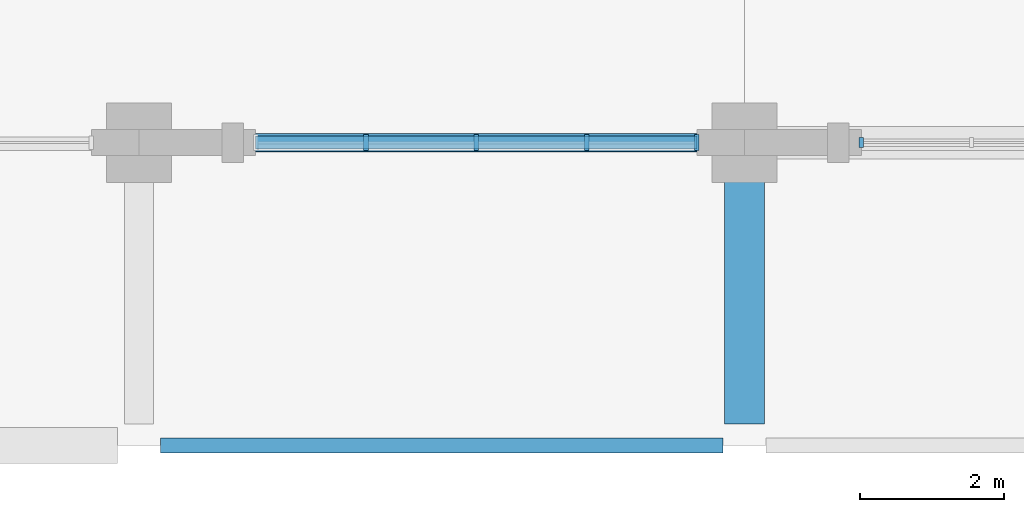
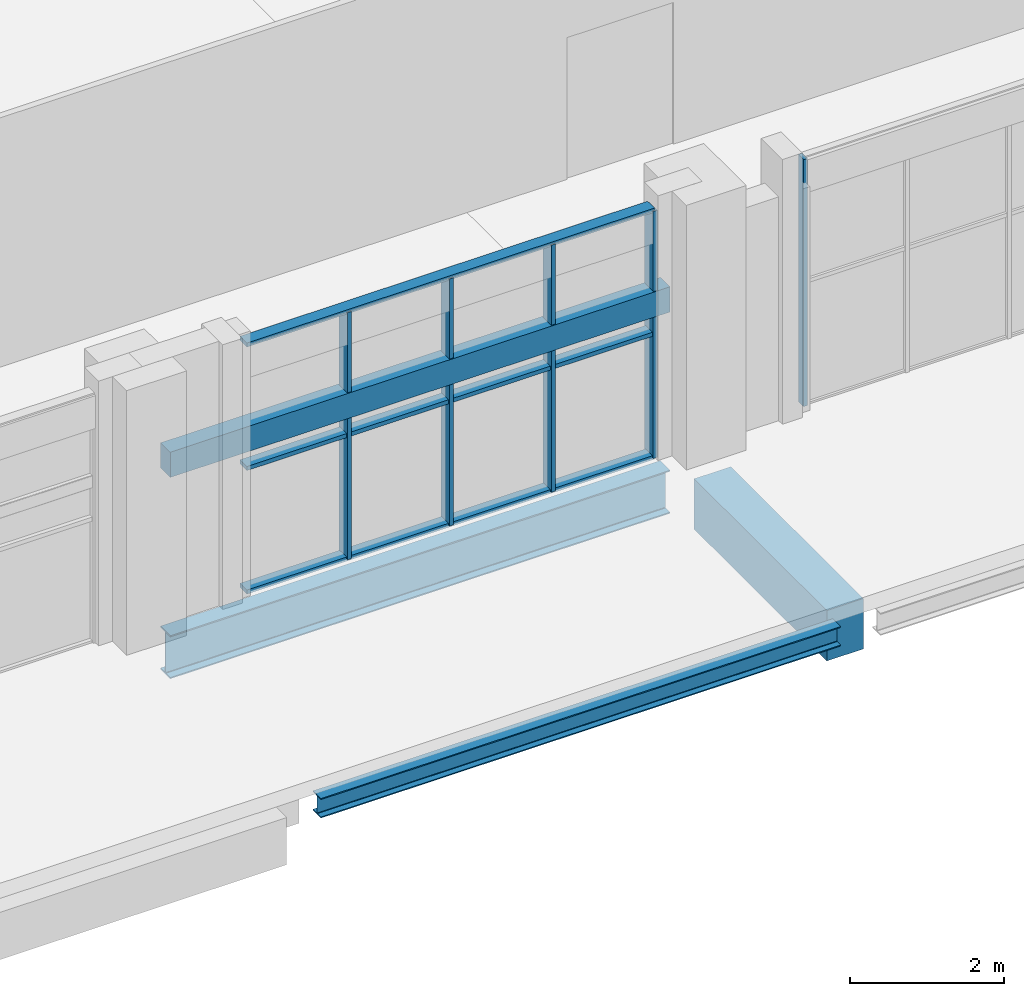
# One storey, part 20 of 59: 8 members, 4 beams, 2 elements without a shape of their own.
"""IFC4 building model written with IfcOpenShell, lengths in metres."""

from ifc_helpers import new_model, si_unit, derived_unit, direction, frame, origin, origin_2d, place, context, subcontext, project, spatial, rectangle, i_section, extrude, material, material_profile, profile_set, type_object, element, aggregate, save


model = new_model("IFC4")

# Units and contexts
model_context = context("Model", 3, precision=1e-05, world=origin(), true_north=direction((0.0, 1.0)))
body_context = subcontext(model_context, "Body", "Model", "MODEL_VIEW")
ifc_project = project(units=[si_unit("LENGTHUNIT", "METRE"), si_unit("AREAUNIT", "SQUARE_METRE"), si_unit("VOLUMEUNIT", "CUBIC_METRE"), si_unit("PLANEANGLEUNIT", "RADIAN"), si_unit("MASSUNIT", "GRAM", prefix="KILO"), derived_unit("THERMALTRANSMITTANCEUNIT", [(si_unit("POWERUNIT", "WATT"), 1), (si_unit("LENGTHUNIT", "METRE"), -2), (si_unit("THERMODYNAMICTEMPERATUREUNIT", "KELVIN"), -1)])], contexts=[model_context])

# Site, building, storey
site_placement = place(None, origin())
site = spatial("IfcSite", under=ifc_project, at=site_placement, CompositionType="ELEMENT")
building_placement = place(site_placement, origin())
building = spatial("IfcBuilding", under=site, at=building_placement, Name="Barrovel Congress Hotel", CompositionType="ELEMENT")
storey_placement = place(building_placement, frame((0.0, 0.0, 9.89990234375)))
storey = spatial("IfcBuildingStorey", under=building, at=storey_placement, Name="L02", CompositionType="ELEMENT", Elevation=9.89990234375)

# Beams
ifc_material_1 = material(Name="Concrete C40", Category="concrete")
ifc_material_profile_1 = material_profile(ifc_material_1, rectangle(XDim=0.25, YDim=0.39990234375, at=origin_2d()), Name="RC250x400")
ifc_profile_set_1 = profile_set([ifc_material_profile_1], Name="Concrete C40")
beam_type_1 = type_object("IfcBeamType", Name="BM-RC250x400", PredefinedType="LINTEL", material=ifc_profile_set_1)
beam_1_placement = place(storey_placement, frame((118.050048828125, 4.199951171875, 2.4501953125), z_axis=(1.0, 0.0, 0.0), x_axis=(0.0, 1.0, 0.0)))
element("IfcBeam", 1, at=beam_1_placement, inside=storey, type_object=beam_type_1, Name="LIN:L02:117.6-126.0", PredefinedType="LINTEL", context=body_context, shape_type="SweptSolid", body=[
    extrude(rectangle(XDim=0.25, YDim=0.39990234375, at=origin_2d()), origin(), (0.0, 0.0, 1.0), 7.5),
])
ifc_material_profile_2 = material_profile(ifc_material_1, rectangle(XDim=0.550048828125, YDim=0.800048828125, at=origin_2d()), Name="RC550x800")
ifc_profile_set_2 = profile_set([ifc_material_profile_2], Name="Concrete C40")
beam_type_2 = type_object("IfcBeamType", Name="BM-RC550x800", PredefinedType="BEAM", material=ifc_profile_set_2)
beam_2_placement = place(storey_placement, frame((126.0, 0.300048828125, -0.659912109375), z_axis=(0.0, 1.0, 0.0), x_axis=(-1.0, 0.0, 0.0)))
element("IfcBeam", 2, at=beam_2_placement, inside=storey, type_object=beam_type_2, Name="BMY:L02:126.0:0.0-4.2", PredefinedType="BEAM", context=body_context, shape_type="SweptSolid", body=[
    extrude(rectangle(XDim=0.550048828125, YDim=0.800048828125, at=origin_2d()), origin(), (0.0, 0.0, 1.0), 3.449951171875),
])

# Curtain wall, member
ifc_material_2 = material(Name="Anodised Aluminium Alloy 6063-T6", Category="aluminium")
curtain_wall_type = type_object("IfcCurtainWallType", Name="CW-ST-7200x3600", PredefinedType="USERDEFINED", material=ifc_material_2)
curtain_wall_1_placement = place(storey_placement, origin())
curtain_wall_1 = element("IfcCurtainWall", 3, at=curtain_wall_1_placement, inside=storey, type_object=curtain_wall_type, Name="CW:L02:S:15", ObjectType="STICK CURTAIN WALL", PredefinedType="USERDEFINED")
ifc_material_profile_3 = material_profile(ifc_material_2, rectangle(XDim=0.06005859375, YDim=0.139892578125, at=origin_2d()), Name="AL-M60x140")
ifc_profile_set_3 = profile_set([ifc_material_profile_3], Name="Anodised Aluminium Alloy 6063-T6")
member_type_1 = type_object("IfcMemberType", Name="CWM-AL-M60x140", PredefinedType="MULLION", material=ifc_profile_set_3)
member_1_placement = place(storey_placement, frame((127.6201171875, 4.199951171875, 0.0), z_axis=(0.0, 0.0, 1.0), x_axis=(1.0, 0.0, 0.0)))
member_1 = element("IfcMember", 4, at=member_1_placement, type_object=member_type_1, Name="CW:L02:S:15:M0", PredefinedType="MULLION", context=body_context, shape_type="SweptSolid", body=[
    extrude(rectangle(XDim=0.06005859375, YDim=0.139892578125, at=origin_2d()), origin(), (0.0, 0.0, 1.0), 3.920166015625),
])
aggregate(curtain_wall_1, [member_1])

# Curtain wall, members
curtain_wall_2_placement = place(storey_placement, origin())
curtain_wall_2 = element("IfcCurtainWall", 5, at=curtain_wall_2_placement, inside=storey, type_object=curtain_wall_type, Name="CW:L02:S:14", ObjectType="STICK CURTAIN WALL", PredefinedType="USERDEFINED")
ifc_material_profile_4 = material_profile(ifc_material_2, rectangle(XDim=0.06494140625, YDim=0.219970703125, at=origin_2d()), Name="AL-M65x220")
ifc_profile_set_4 = profile_set([ifc_material_profile_4], Name="Anodised Aluminium Alloy 6063-T6")
member_type_2 = type_object("IfcMemberType", Name="CWM-AL-M65x220", PredefinedType="MULLION", material=ifc_profile_set_4)
member_2_placement = place(storey_placement, frame((120.75, 4.199951171875, 0.0), z_axis=(0.0, 0.0, 1.0), x_axis=(1.0, 0.0, 0.0)))
member_2 = element("IfcMember", 6, at=member_2_placement, type_object=member_type_2, Name="CW:L02:S:14:M1", PredefinedType="MULLION", context=body_context, shape_type="SweptSolid", body=[
    extrude(rectangle(XDim=0.06494140625, YDim=0.219970703125, at=origin_2d()), origin(), (0.0, 0.0, 1.0), 3.920166015625),
])
member_3_placement = place(storey_placement, frame((122.280029296875, 4.199951171875, 0.0), z_axis=(0.0, 0.0, 1.0), x_axis=(1.0, 0.0, 0.0)))
member_3 = element("IfcMember", 7, at=member_3_placement, type_object=member_type_2, Name="CW:L02:S:14:M2", PredefinedType="MULLION", context=body_context, shape_type="SweptSolid", body=[
    extrude(rectangle(XDim=0.06494140625, YDim=0.219970703125, at=origin_2d()), origin(), (0.0, 0.0, 1.0), 3.920166015625),
])
member_4_placement = place(storey_placement, frame((123.81005859375, 4.199951171875, 0.0), z_axis=(0.0, 0.0, 1.0), x_axis=(1.0, 0.0, 0.0)))
member_4 = element("IfcMember", 8, at=member_4_placement, type_object=member_type_2, Name="CW:L02:S:14:M3", PredefinedType="MULLION", context=body_context, shape_type="SweptSolid", body=[
    extrude(rectangle(XDim=0.06494140625, YDim=0.219970703125, at=origin_2d()), origin(), (0.0, 0.0, 1.0), 3.920166015625),
])
member_5_placement = place(storey_placement, frame((125.340087890625, 4.199951171875, 0.0), z_axis=(0.0, 0.0, 1.0), x_axis=(1.0, 0.0, 0.0)))
member_5 = element("IfcMember", 9, at=member_5_placement, type_object=member_type_2, Name="CW:L02:S:14:M4", PredefinedType="MULLION", context=body_context, shape_type="SweptSolid", body=[
    extrude(rectangle(XDim=0.06494140625, YDim=0.219970703125, at=origin_2d()), origin(), (0.0, 0.0, 1.0), 3.920166015625),
])
ifc_material_profile_5 = material_profile(ifc_material_2, rectangle(XDim=0.179931640625, YDim=0.06494140625, at=origin_2d()), Name="AL-T65x180")
ifc_profile_set_5 = profile_set([ifc_material_profile_5], Name="Anodised Aluminium Alloy 6063-T6")
member_type_3 = type_object("IfcMemberType", Name="CWT-AL-T65x180", PredefinedType="USERDEFINED", material=ifc_profile_set_5)
member_6_placement = place(storey_placement, frame((119.219970703125, 4.199951171875, 0.0), z_axis=(1.0, 0.0, 0.0), x_axis=(0.0, 1.0, 0.0)))
member_6 = element("IfcMember", 10, at=member_6_placement, type_object=member_type_3, Name="CW:L02:S:14:T0", ObjectType="TRANSOM", PredefinedType="USERDEFINED", context=body_context, shape_type="SweptSolid", body=[
    extrude(rectangle(XDim=0.179931640625, YDim=0.06494140625, at=origin_2d()), origin(), (0.0, 0.0, 1.0), 6.1201171875),
])
member_7_placement = place(storey_placement, frame((119.219970703125, 4.199951171875, 1.960205078125), z_axis=(1.0, 0.0, 0.0), x_axis=(0.0, 1.0, 0.0)))
member_7 = element("IfcMember", 11, at=member_7_placement, type_object=member_type_3, Name="CW:L02:S:14:T1", ObjectType="TRANSOM", PredefinedType="USERDEFINED", context=body_context, shape_type="SweptSolid", body=[
    extrude(rectangle(XDim=0.179931640625, YDim=0.06494140625, at=origin_2d()), origin(), (0.0, 0.0, 1.0), 6.1201171875),
])
member_8_placement = place(storey_placement, frame((119.219970703125, 4.199951171875, 3.920166015625), z_axis=(1.0, 0.0, 0.0), x_axis=(0.0, 1.0, 0.0)))
member_8 = element("IfcMember", 12, at=member_8_placement, type_object=member_type_3, Name="CW:L02:S:14:T2", ObjectType="TRANSOM", PredefinedType="USERDEFINED", context=body_context, shape_type="SweptSolid", body=[
    extrude(rectangle(XDim=0.179931640625, YDim=0.06494140625, at=origin_2d()), origin(), (0.0, 0.0, 1.0), 6.1201171875),
])
aggregate(curtain_wall_2, [member_2, member_3, member_4, member_5, member_6, member_7, member_8])

# Beams
ifc_material_3 = material(Name="Steel ASTM A992 Grade 50", Category="steel")
ifc_material_profile_6 = material_profile(ifc_material_3, i_section(OverallWidth=0.205078125, OverallDepth=0.31005859375, WebThickness=0.009521484375, FlangeThickness=0.016357421875, FilletRadius=0.012939453125, at=origin_2d()), Name="W310x74")
ifc_profile_set_6 = profile_set([ifc_material_profile_6], Name="Steel ASTM A992 Grade 50")
beam_type_3 = type_object("IfcBeamType", Name="SBM-W310x74", PredefinedType="SPANDREL", material=ifc_profile_set_6)
beam_3_placement = place(storey_placement, frame((117.89990234375, 0.0, -0.414794921875), z_axis=(1.0, 0.0, 0.0), x_axis=(0.0, 1.0, 0.0)))
element("IfcBeam", 13, at=beam_3_placement, inside=storey, type_object=beam_type_3, Name="BMX:L02:0.0:117.6-126.0", PredefinedType="SPANDREL", context=body_context, shape_type="SweptSolid", body=[
    extrude(i_section(OverallWidth=0.205078125, OverallDepth=0.31005859375, WebThickness=0.009521484375, FlangeThickness=0.016357421875, FilletRadius=0.012939453125, at=origin_2d()), origin(), (0.0, 0.0, 1.0), 7.800048828125),
])
ifc_material_profile_7 = material_profile(ifc_material_3, i_section(OverallWidth=0.25390625, OverallDepth=0.68408203125, WebThickness=0.012451171875, FlangeThickness=0.01904296875, FilletRadius=0.014892578125, at=origin_2d()), Name="W690x140")
ifc_profile_set_7 = profile_set([ifc_material_profile_7], Name="Steel ASTM A992 Grade 50")
beam_type_4 = type_object("IfcBeamType", Name="SBM-W690x140", PredefinedType="BEAM", material=ifc_profile_set_7)
beam_4_placement = place(storey_placement, frame((118.050048828125, 4.199951171875, -0.601806640625), z_axis=(1.0, 0.0, 0.0), x_axis=(0.0, 1.0, 0.0)))
element("IfcBeam", 14, at=beam_4_placement, inside=storey, type_object=beam_type_4, Name="BMX:L02:4.2:117.6-126.0", PredefinedType="BEAM", context=body_context, shape_type="SweptSolid", body=[
    extrude(i_section(OverallWidth=0.25390625, OverallDepth=0.68408203125, WebThickness=0.012451171875, FlangeThickness=0.01904296875, FilletRadius=0.014892578125, at=origin_2d()), origin(), (0.0, 0.0, 1.0), 7.5),
])

save(model, "model.ifc")
